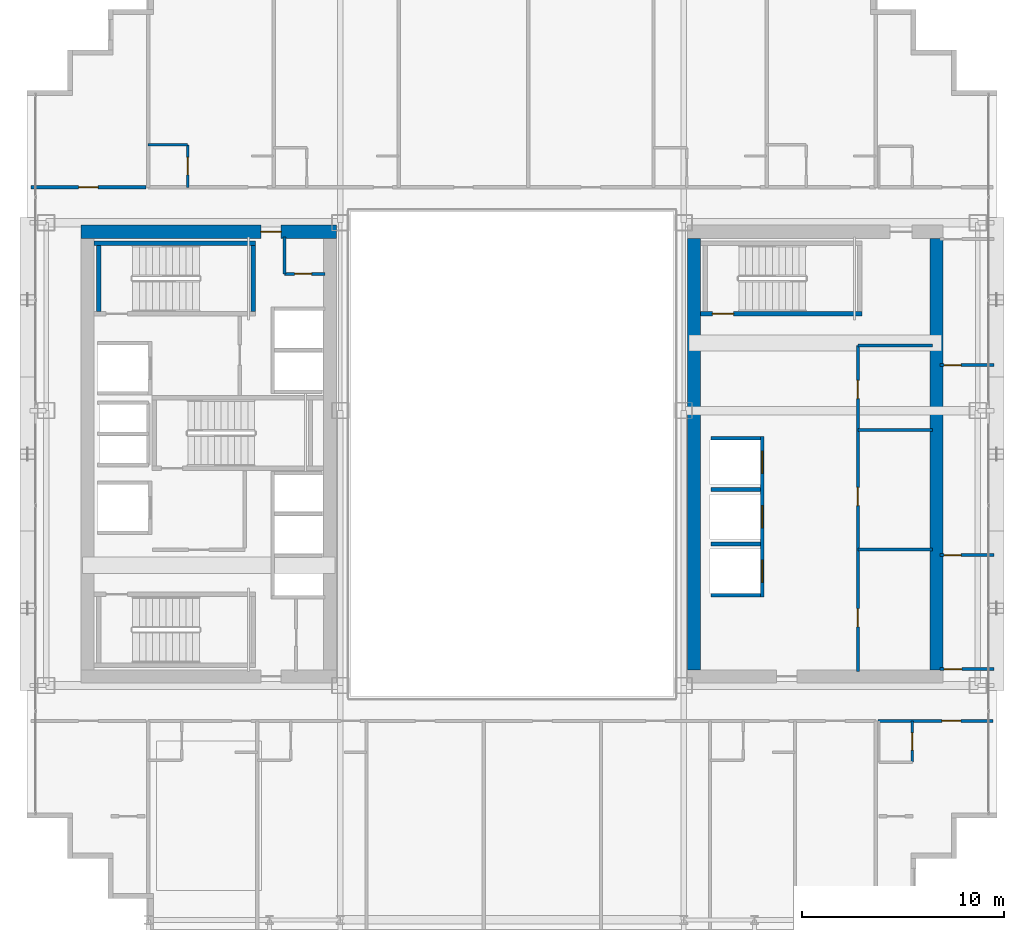
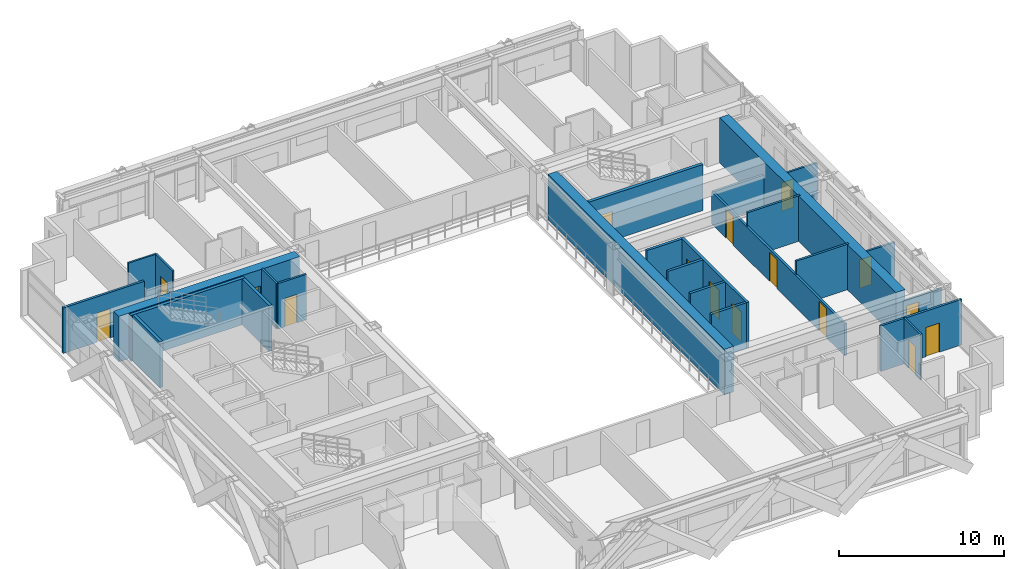
# One storey, part 29 of 35: 26 walls, 16 doors, 16 openings.
"""IFC4 building model written with IfcOpenShell, lengths in metres."""

from ifc_helpers import new_model, si_unit, direction, frame, frame_2d, origin, place, context, subcontext, project, spatial, rectangle, extrude, source, transform, mapped, material, layer, layer_set, type_object, element, fill, save


model = new_model("IFC4")

# Units and contexts
model_context = context("Model", 3, precision=1e-05, world=origin(), true_north=direction((0.0, 1.0)))
body_context = subcontext(model_context, "Body", "Model", "MODEL_VIEW")
ifc_project = project(units=[si_unit("LENGTHUNIT", "METRE"), si_unit("AREAUNIT", "SQUARE_METRE"), si_unit("VOLUMEUNIT", "CUBIC_METRE"), si_unit("PLANEANGLEUNIT", "RADIAN"), si_unit("MASSUNIT", "GRAM", prefix="KILO")], contexts=[model_context])

# Site, building, storey
site_placement = place(None, origin())
site = spatial("IfcSite", under=ifc_project, at=site_placement, CompositionType="ELEMENT")
building_placement = place(site_placement, origin())
building = spatial("IfcBuilding", under=site, at=building_placement, Name="Ocotamira Hotel", CompositionType="ELEMENT")
storey_placement = place(building_placement, frame((0.0, 0.0, 118.800048828125)))
storey = spatial("IfcBuildingStorey", under=building, at=storey_placement, Name="L29", CompositionType="ELEMENT", Elevation=118.800048828125)

# Wall, opening, door
ifc_material_1 = material(Name="Concrete C60/75", Category="concrete")
ifc_layer_1 = layer(ifc_material_1, 0.64990234375)
ifc_layer_set_1 = layer_set([ifc_layer_1], Name="Concrete C60/75")
wall_type_1 = type_object("IfcWallType", Name="WL-CORE-650", PredefinedType="SHEAR", material=ifc_layer_set_1)
wall_1_placement = place(storey_placement, frame((10.675048828125, 37.0, 0.0), z_axis=(0.0, 0.0, 1.0), x_axis=(1.0, 0.0, 0.0)))
wall_1 = element("IfcWall", 1, at=wall_1_placement, inside=storey, type_object=wall_type_1, Name="L29 Shear Core Wall WCORE-N", PredefinedType="SHEAR", context=body_context, shape_type="SweptSolid", body=[
    extrude(rectangle(XDim=12.64990234375, YDim=0.64990234375, at=frame_2d((6.324951171875, 0.0))), origin(), (0.0, 0.0, 1.0), 3.35986328125),
])
opening_1_placement = place(wall_1_placement, frame((8.905029296875, 0.0, 0.0)))
opening_1 = element("IfcOpeningElement", 2, at=opening_1_placement, cuts=wall_1, Name="Opening D-FR2", PredefinedType="OPENING", context=body_context, shape_type="SweptSolid", body=[
    extrude(rectangle(XDim=1.0, YDim=2.14990234375, at=frame_2d((0.5, 1.074951171875))), frame((0.0, 0.3349609375, 0.0), z_axis=(0.0, -1.0, 0.0), x_axis=(1.0, 0.0, 0.0)), (0.0, 0.0, 1.0), 0.669921875),
])
ifc_material_2 = material(Name="Fire-rated acoustic timber-veneer door", Category="wood")
door_type_1 = type_object("IfcDoorType", Name="DR-FIRE-1000", OperationType="NOTDEFINED", PredefinedType="DOOR", material=ifc_material_2)
shared_shape_1 = source(origin(), body_context, "Body", "SweptSolid", [
    extrude(rectangle(XDim=1.0, YDim=2.14990234375, at=frame_2d((0.5, 1.074951171875))), frame((0.0, 0.02490234375, 0.0), z_axis=(0.0, -1.0, 0.0), x_axis=(1.0, 0.0, 0.0)), (0.0, 0.0, 1.0), 0.050048828125),
])
door_1_placement = place(opening_1_placement, origin())
door_1 = element("IfcDoor", 3, at=door_1_placement, inside=storey, type_object=door_type_1, Name="L29 Door ID-L29-WLOB-N-D [ID-L29-WLOB-N-D]", OperationType="SINGLE_SWING_RIGHT", OverallHeight=2.14990234375, OverallWidth=1.0, PredefinedType="DOOR", context=body_context, shape_type="MappedRepresentation", body=[
    mapped(shared_shape_1, transform((0.0, 0.0, 0.0), scale=1.0)),
])
fill(opening_1, door_1)

# Walls
for number, where, z_axis, x_axis, name in (
    (4, (41.0, 15.324951171875, 0.0), (0.0, 0.0, 1.0), (0.0, 1.0, 0.0), "L29 Shear Core Wall ECORE-W"),
    (5, (53.0, 15.324951171875, 0.0), (0.0, 0.0, 1.0), (0.0, 1.0, 0.0), "L29 Shear Core Wall ECORE-E"),
):
    element("IfcWall", number, at=place(storey_placement, frame(where, z_axis=z_axis, x_axis=x_axis)), inside=storey, type_object=wall_type_1, Name=name, PredefinedType="SHEAR", context=body_context, shape_type="SweptSolid", body=[
        extrude(rectangle(XDim=21.35009765625, YDim=0.64990234375, at=frame_2d((10.675048828125, 0.0))), origin(), (0.0, 0.0, 1.0), 3.35986328125),
    ])
ifc_material_3 = material(Name="Acoustic double-layer fire gypsum board partition", Category="gypsum")
ifc_layer_2 = layer(ifc_material_3, 0.159912109375)
ifc_layer_set_2 = layer_set([ifc_layer_2], Name="Acoustic double-layer fire gypsum board partition")
wall_type_2 = type_object("IfcWallType", Name="WL-FIRE-160", PredefinedType="PARTITIONING", material=ifc_layer_set_2)
wall_2_placement = place(storey_placement, frame((49.1201171875, 31.3798828125, 0.0), z_axis=(0.0, 0.0, 1.0), x_axis=(1.0, 0.0, 0.0)))
element("IfcWall", 6, at=wall_2_placement, inside=storey, type_object=wall_type_2, Name="L29 Interior Wall PW-L29-EC-FLOW-N", PredefinedType="PARTITIONING", context=body_context, shape_type="SweptSolid", body=[
    extrude(rectangle(XDim=3.679931640625, YDim=0.159912109375, at=frame_2d((1.83984375, 0.0))), origin(), (0.0, 0.0, 1.0), 2.35986328125),
])

# Wall, openings, doors
wall_3_placement = place(storey_placement, frame((49.1201171875, 15.25, 0.0), z_axis=(0.0, 0.0, 1.0), x_axis=(0.0, 1.0, 0.0)))
wall_3 = element("IfcWall", 7, at=wall_3_placement, inside=storey, type_object=wall_type_2, Name="L29 Interior Wall PW-L29-EC-FLOW-W", PredefinedType="PARTITIONING", context=body_context, shape_type="SweptSolid", body=[
    extrude(rectangle(XDim=16.1298828125, YDim=0.159912109375, at=frame_2d((8.06494140625, 0.0))), origin(), (0.0, 0.0, 1.0), 2.35986328125),
])
opening_2_placement = place(wall_3_placement, frame((2.199951171875, 0.0, 0.0)))
opening_2 = element("IfcOpeningElement", 8, at=opening_2_placement, cuts=wall_3, Name="Opening D-IN3", PredefinedType="OPENING", context=body_context, shape_type="SweptSolid", body=[
    extrude(rectangle(XDim=0.89990234375, YDim=2.14990234375, at=frame_2d((0.449951171875, 1.074951171875))), frame((0.0, 0.08984375, 0.0), z_axis=(0.0, -1.0, 0.0), x_axis=(1.0, 0.0, 0.0)), (0.0, 0.0, 1.0), 0.179931640625),
])
opening_3_placement = place(wall_3_placement, frame((8.199951171875, 0.0, 0.0)))
opening_3 = element("IfcOpeningElement", 9, at=opening_3_placement, cuts=wall_3, Name="Opening D-IN3", PredefinedType="OPENING", context=body_context, shape_type="SweptSolid", body=[
    extrude(rectangle(XDim=0.89990234375, YDim=2.14990234375, at=frame_2d((0.449951171875, 1.074951171875))), frame((0.0, 0.08984375, 0.0), z_axis=(0.0, -1.0, 0.0), x_axis=(1.0, 0.0, 0.0)), (0.0, 0.0, 1.0), 0.179931640625),
])
opening_4_placement = place(wall_3_placement, frame((13.5, 0.0, 0.0)))
opening_4 = element("IfcOpeningElement", 10, at=opening_4_placement, cuts=wall_3, Name="Opening D-IN3", PredefinedType="OPENING", context=body_context, shape_type="SweptSolid", body=[
    extrude(rectangle(XDim=0.89990234375, YDim=2.14990234375, at=frame_2d((0.449951171875, 1.074951171875))), frame((0.0, 0.08984375, 0.0), z_axis=(0.0, -1.0, 0.0), x_axis=(1.0, 0.0, 0.0)), (0.0, 0.0, 1.0), 0.179931640625),
])
ifc_material_4 = material(Name="Painted service room door", Category="steel")
door_type_2 = type_object("IfcDoorType", Name="DR-INT-900", OperationType="NOTDEFINED", PredefinedType="DOOR", material=ifc_material_4)
shared_shape_2 = source(origin(), body_context, "Body", "SweptSolid", [
    extrude(rectangle(XDim=0.89990234375, YDim=2.14990234375, at=frame_2d((0.449951171875, 1.074951171875))), frame((0.0, 0.02490234375, 0.0), z_axis=(0.0, -1.0, 0.0), x_axis=(1.0, 0.0, 0.0)), (0.0, 0.0, 1.0), 0.050048828125),
])
door_2_placement = place(opening_2_placement, origin())
door_2 = element("IfcDoor", 11, at=door_2_placement, inside=storey, type_object=door_type_2, Name="L29 Door ID-L29-EC-FLOW-D1 [ID-L29-EC-FLOW-D1]", OperationType="SINGLE_SWING_LEFT", OverallHeight=2.14990234375, OverallWidth=0.89990234375, PredefinedType="DOOR", context=body_context, shape_type="MappedRepresentation", body=[
    mapped(shared_shape_2, transform((0.0, 0.0, 0.0), scale=1.0)),
])
fill(opening_2, door_2)
door_3_placement = place(opening_3_placement, origin())
door_3 = element("IfcDoor", 12, at=door_3_placement, inside=storey, type_object=door_type_2, Name="L29 Door ID-L29-EC-FLOW-D2 [ID-L29-EC-FLOW-D2]", OperationType="SINGLE_SWING_RIGHT", OverallHeight=2.14990234375, OverallWidth=0.89990234375, PredefinedType="DOOR", context=body_context, shape_type="MappedRepresentation", body=[
    mapped(shared_shape_2, transform((0.0, 0.0, 0.0), scale=1.0)),
])
fill(opening_3, door_3)
door_4_placement = place(opening_4_placement, origin())
door_4 = element("IfcDoor", 13, at=door_4_placement, inside=storey, type_object=door_type_2, Name="L29 Door ID-L29-EC-FLOW-D3 [ID-L29-EC-FLOW-D3]", OperationType="SINGLE_SWING_LEFT", OverallHeight=2.14990234375, OverallWidth=0.89990234375, PredefinedType="DOOR", context=body_context, shape_type="MappedRepresentation", body=[
    mapped(shared_shape_2, transform((0.0, 0.0, 0.0), scale=1.0)),
])
fill(opening_4, door_4)

# Wall, opening, door
wall_4_placement = place(storey_placement, frame((50.1201171875, 12.800048828125, 0.0), z_axis=(0.0, 0.0, 1.0), x_axis=(1.0, 0.0, 0.0)))
wall_4 = element("IfcWall", 14, at=wall_4_placement, inside=storey, type_object=wall_type_2, Name="L29 Interior Wall PW-L29-Z2C-CSE-CW", PredefinedType="PARTITIONING", context=body_context, shape_type="SweptSolid", body=[
    extrude(rectangle(XDim=5.679931640625, YDim=0.159912109375, at=frame_2d((2.83984375, 0.0))), origin(), (0.0, 0.0, 1.0), 3.35986328125),
])
opening_5_placement = place(wall_4_placement, frame((3.14990234375, 0.0, 0.0)))
opening_5 = element("IfcOpeningElement", 15, at=opening_5_placement, cuts=wall_4, Name="Opening D-GR1", PredefinedType="OPENING", context=body_context, shape_type="SweptSolid", body=[
    extrude(rectangle(XDim=0.93994140625, YDim=2.14990234375, at=frame_2d((0.469970703125, 1.074951171875))), frame((0.0, 0.08984375, 0.0), z_axis=(0.0, -1.0, 0.0), x_axis=(1.0, 0.0, 0.0)), (0.0, 0.0, 1.0), 0.179931640625),
])
ifc_material_5 = material(Name="Solid-core walnut suite entrance fire door", Category="wood")
door_type_3 = type_object("IfcDoorType", Name="DR-GUEST-940", OperationType="NOTDEFINED", PredefinedType="DOOR", material=ifc_material_5)
shared_shape_3 = source(origin(), body_context, "Body", "SweptSolid", [
    extrude(rectangle(XDim=0.93994140625, YDim=2.14990234375, at=frame_2d((0.469970703125, 1.074951171875))), frame((0.0, 0.02490234375, 0.0), z_axis=(0.0, -1.0, 0.0), x_axis=(1.0, 0.0, 0.0)), (0.0, 0.0, 1.0), 0.050048828125),
])
door_5_placement = place(opening_5_placement, origin())
door_5 = element("IfcDoor", 16, at=door_5_placement, inside=storey, type_object=door_type_3, Name="L29 Door ID-L29-Z2C-CSE-CD [ID-L29-Z2C-CSE-CD]", OperationType="SINGLE_SWING_RIGHT", OverallHeight=2.14990234375, OverallWidth=0.93994140625, PredefinedType="DOOR", context=body_context, shape_type="MappedRepresentation", body=[
    mapped(shared_shape_3, transform((0.0, 0.0, 0.0), scale=1.0)),
])
fill(opening_5, door_5)

wall_5_placement = place(storey_placement, frame((8.199951171875, 39.199951171875, 0.0), z_axis=(0.0, 0.0, 1.0), x_axis=(1.0, 0.0, 0.0)))
wall_5 = element("IfcWall", 17, at=wall_5_placement, inside=storey, type_object=wall_type_2, Name="L29 Interior Wall PW-L29-Z2C-CNW-CW", PredefinedType="PARTITIONING", context=body_context, shape_type="SweptSolid", body=[
    extrude(rectangle(XDim=5.679931640625, YDim=0.159912109375, at=frame_2d((2.83984375, 0.0))), origin(), (0.0, 0.0, 1.0), 3.35986328125),
])
opening_6_placement = place(wall_5_placement, frame((2.360107421875, 0.0, 0.0)))
opening_6 = element("IfcOpeningElement", 18, at=opening_6_placement, cuts=wall_5, Name="Opening D-SV4", PredefinedType="OPENING", context=body_context, shape_type="SweptSolid", body=[
    extrude(rectangle(XDim=0.9599609375, YDim=2.14990234375, at=frame_2d((0.47998046875, 1.074951171875))), frame((0.0, 0.08984375, 0.0), z_axis=(0.0, -1.0, 0.0), x_axis=(1.0, 0.0, 0.0)), (0.0, 0.0, 1.0), 0.179931640625),
])
ifc_material_6 = material(Name="Fire-rated accessible walnut salon door", Category="wood")
door_type_4 = type_object("IfcDoorType", Name="DR-SERV-960", OperationType="NOTDEFINED", PredefinedType="DOOR", material=ifc_material_6)
shared_shape_4 = source(origin(), body_context, "Body", "SweptSolid", [
    extrude(rectangle(XDim=0.9599609375, YDim=2.14990234375, at=frame_2d((0.47998046875, 1.074951171875))), frame((0.0, 0.02490234375, 0.0), z_axis=(0.0, -1.0, 0.0), x_axis=(1.0, 0.0, 0.0)), (0.0, 0.0, 1.0), 0.050048828125),
])
door_6_placement = place(opening_6_placement, origin())
door_6 = element("IfcDoor", 19, at=door_6_placement, inside=storey, type_object=door_type_4, Name="L29 Door ID-L29-Z2C-CNW-CD [ID-L29-Z2C-CNW-CD]", OperationType="SINGLE_SWING_LEFT", OverallHeight=2.14990234375, OverallWidth=0.9599609375, PredefinedType="DOOR", context=body_context, shape_type="MappedRepresentation", body=[
    mapped(shared_shape_4, transform((0.0, 0.0, 0.0), scale=1.0)),
])
fill(opening_6, door_6)

ifc_material_7 = material(Name="Moisture-resistant en-suite tile and gypsum partition", Category="gypsum")
ifc_layer_3 = layer(ifc_material_7, 0.1201171875)
ifc_layer_set_3 = layer_set([ifc_layer_3], Name="Moisture-resistant en-suite tile and gypsum partition")
wall_type_3 = type_object("IfcWallType", Name="WL-PART-120", PredefinedType="PARTITIONING", material=ifc_layer_set_3)
wall_6_placement = place(storey_placement, frame((51.81005859375, 10.760009765625, 0.0), z_axis=(0.0, 0.0, 1.0), x_axis=(0.0, 1.0, 0.0)))
wall_6 = element("IfcWall", 20, at=wall_6_placement, inside=storey, type_object=wall_type_3, Name="L29 Interior Wall PW-L29-Z2C-CSE-BE", PredefinedType="PARTITIONING", context=body_context, shape_type="SweptSolid", body=[
    extrude(rectangle(XDim=2.0400390625, YDim=0.1201171875, at=frame_2d((1.02001953125, 0.0))), origin(), (0.0, 0.0, 1.0), 3.35986328125),
])
opening_7_placement = place(wall_6_placement, frame((0.590087890625, 0.0, 0.0)))
opening_7 = element("IfcOpeningElement", 21, at=opening_7_placement, cuts=wall_6, Name="Opening D-BA1", PredefinedType="OPENING", context=body_context, shape_type="SweptSolid", body=[
    extrude(rectangle(XDim=0.860107421875, YDim=2.10009765625, at=frame_2d((0.43017578125, 1.050048828125))), frame((0.0, 0.070068359375, 0.0), z_axis=(0.0, -1.0, 0.0), x_axis=(1.0, 0.0, 0.0)), (0.0, 0.0, 1.0), 0.14013671875),
])
ifc_material_8 = material(Name="Moisture-sealed en-suite timber door", Category="wood")
door_type_5 = type_object("IfcDoorType", Name="DR-BATH-860", OperationType="NOTDEFINED", PredefinedType="DOOR", material=ifc_material_8)
shared_shape_5 = source(origin(), body_context, "Body", "SweptSolid", [
    extrude(rectangle(XDim=0.860107421875, YDim=2.10009765625, at=frame_2d((0.43017578125, 1.050048828125))), frame((0.0, 0.02490234375, 0.0), z_axis=(0.0, -1.0, 0.0), x_axis=(1.0, 0.0, 0.0)), (0.0, 0.0, 1.0), 0.050048828125),
])
door_7_placement = place(opening_7_placement, origin())
door_7 = element("IfcDoor", 22, at=door_7_placement, inside=storey, type_object=door_type_5, Name="L29 Door ID-L29-Z2C-CSE-BD [ID-L29-Z2C-CSE-BD]", OperationType="SINGLE_SWING_LEFT", OverallHeight=2.10009765625, OverallWidth=0.860107421875, PredefinedType="DOOR", context=body_context, shape_type="MappedRepresentation", body=[
    mapped(shared_shape_5, transform((0.0, 0.0, 0.0), scale=1.0)),
])
fill(opening_7, door_7)

wall_7_placement = place(storey_placement, frame((15.949951171875, 39.199951171875, 0.0), z_axis=(0.0, 0.0, 1.0), x_axis=(0.0, 1.0, 0.0)))
wall_7 = element("IfcWall", 23, at=wall_7_placement, inside=storey, type_object=wall_type_3, Name="L29 Interior Wall PW-L29-Z2CN-BAE1", PredefinedType="PARTITIONING", context=body_context, shape_type="SweptSolid", body=[
    extrude(rectangle(XDim=2.10009765625, YDim=0.1201171875, at=frame_2d((1.050048828125, 0.0))), origin(), (0.0, 0.0, 1.0), 3.35986328125),
])
opening_8_placement = place(wall_7_placement, frame((0.6201171875, 0.0, 0.0)))
opening_8 = element("IfcOpeningElement", 24, at=opening_8_placement, cuts=wall_7, Name="Opening D-BA1", PredefinedType="OPENING", context=body_context, shape_type="SweptSolid", body=[
    extrude(rectangle(XDim=0.860107421875, YDim=2.10009765625, at=frame_2d((0.43017578125, 1.050048828125))), frame((0.0, 0.070068359375, 0.0), z_axis=(0.0, -1.0, 0.0), x_axis=(1.0, 0.0, 0.0)), (0.0, 0.0, 1.0), 0.14013671875),
])
door_8_placement = place(opening_8_placement, origin())
door_8 = element("IfcDoor", 25, at=door_8_placement, inside=storey, type_object=door_type_5, Name="L29 Door ID-L29-Z2CN-BAD1 [ID-L29-Z2CN-BAD1]", OperationType="SINGLE_SWING_RIGHT", OverallHeight=2.10009765625, OverallWidth=0.860107421875, PredefinedType="DOOR", context=body_context, shape_type="MappedRepresentation", body=[
    mapped(shared_shape_5, transform((0.0, 0.0, 0.0), scale=1.0)),
])
fill(opening_8, door_8)

# Walls
wall_8_placement = place(storey_placement, frame((14.0, 41.300048828125, 0.0), z_axis=(0.0, 0.0, 1.0), x_axis=(1.0, 0.0, 0.0)))
element("IfcWall", 26, at=wall_8_placement, inside=storey, type_object=wall_type_3, Name="L29 Interior Wall PW-L29-Z2CN-BAN1", PredefinedType="PARTITIONING", context=body_context, shape_type="SweptSolid", body=[
    extrude(rectangle(XDim=1.949951171875, YDim=0.1201171875, at=frame_2d((0.97509765625, 0.0))), origin(), (0.0, 0.0, 1.0), 3.35986328125),
])
ifc_material_9 = material(Name="Acoustic hospitality gypsum board partition", Category="gypsum")
ifc_layer_4 = layer(ifc_material_9, 0.14208984375)
ifc_layer_set_4 = layer_set([ifc_layer_4], Name="Acoustic hospitality gypsum board partition")
wall_type_4 = type_object("IfcWallType", Name="WL-PART-142", PredefinedType="PARTITIONING", material=ifc_layer_set_4)
wall_9_placement = place(storey_placement, frame((20.739990234375, 34.919921875, 0.0), z_axis=(0.0, 0.0, 1.0), x_axis=(0.0, 1.0, 0.0)))
element("IfcWall", 27, at=wall_9_placement, inside=storey, type_object=wall_type_4, Name="L29 Interior Wall PW-L29-WC-NE-W1", PredefinedType="PARTITIONING", context=body_context, shape_type="SweptSolid", body=[
    extrude(rectangle(XDim=1.830078125, YDim=0.14208984375, at=frame_2d((0.9150390625, 0.0))), origin(), (0.0, 0.0, 1.0), 3.35986328125),
])

# Wall, opening, door
wall_10_placement = place(storey_placement, frame((20.739990234375, 34.919921875, 0.0), z_axis=(0.0, 0.0, 1.0), x_axis=(1.0, 0.0, 0.0)))
wall_10 = element("IfcWall", 28, at=wall_10_placement, inside=storey, type_object=wall_type_4, Name="L29 Interior Wall PW-L29-WC-NE-S1", PredefinedType="PARTITIONING", context=body_context, shape_type="SweptSolid", body=[
    extrude(rectangle(XDim=2.010009765625, YDim=0.14208984375, at=frame_2d((1.0048828125, 0.0))), origin(), (0.0, 0.0, 1.0), 3.35986328125),
])
opening_9_placement = place(wall_10_placement, frame((0.5, 0.0, 0.0)))
opening_9 = element("IfcOpeningElement", 29, at=opening_9_placement, cuts=wall_10, Name="Opening D-SV1", PredefinedType="OPENING", context=body_context, shape_type="SweptSolid", body=[
    extrude(rectangle(XDim=0.840087890625, YDim=2.10009765625, at=frame_2d((0.419921875, 1.050048828125))), frame((0.0, 0.0810546875, 0.0), z_axis=(0.0, -1.0, 0.0), x_axis=(1.0, 0.0, 0.0)), (0.0, 0.0, 1.0), 0.162109375),
])
ifc_material_10 = material(Name="Fire-rated painted steel service door", Category="steel")
door_type_6 = type_object("IfcDoorType", Name="DR-SERV-840", OperationType="NOTDEFINED", PredefinedType="DOOR", material=ifc_material_10)
shared_shape_6 = source(origin(), body_context, "Body", "SweptSolid", [
    extrude(rectangle(XDim=0.840087890625, YDim=2.10009765625, at=frame_2d((0.419921875, 1.050048828125))), frame((0.0, 0.02490234375, 0.0), z_axis=(0.0, -1.0, 0.0), x_axis=(1.0, 0.0, 0.0)), (0.0, 0.0, 1.0), 0.050048828125),
])
door_9_placement = place(opening_9_placement, origin())
door_9 = element("IfcDoor", 30, at=door_9_placement, inside=storey, type_object=door_type_6, Name="L29 Door ID-L29-WC-NE-D1 [ID-L29-WC-NE-D1]", OperationType="SINGLE_SWING_LEFT", OverallHeight=2.10009765625, OverallWidth=0.840087890625, PredefinedType="DOOR", context=body_context, shape_type="MappedRepresentation", body=[
    mapped(shared_shape_6, transform((0.0, 0.0, 0.0), scale=1.0)),
])
fill(opening_9, door_9)

wall_11_placement = place(storey_placement, frame((53.179931640625, 21.0, 0.0), z_axis=(0.0, 0.0, 1.0), x_axis=(1.0, 0.0, 0.0)))
wall_11 = element("IfcWall", 31, at=wall_11_placement, inside=storey, type_object=wall_type_4, Name="L29 Interior Wall PW-L29-Z2C-EF-DV1", PredefinedType="PARTITIONING", context=body_context, shape_type="SweptSolid", body=[
    extrude(rectangle(XDim=2.66015625, YDim=0.14208984375, at=frame_2d((1.330078125, 0.0))), origin(), (0.0, 0.0, 1.0), 2.5810546875),
])
opening_10_placement = place(wall_11_placement, frame((0.199951171875, 0.0, 0.0)))
opening_10 = element("IfcOpeningElement", 32, at=opening_10_placement, cuts=wall_11, Name="Opening D-SV1", PredefinedType="OPENING", context=body_context, shape_type="SweptSolid", body=[
    extrude(rectangle(XDim=0.840087890625, YDim=2.10009765625, at=frame_2d((0.419921875, 1.050048828125))), frame((0.0, 0.0810546875, 0.0), z_axis=(0.0, -1.0, 0.0), x_axis=(1.0, 0.0, 0.0)), (0.0, 0.0, 1.0), 0.162109375),
])
door_10_placement = place(opening_10_placement, origin())
door_10 = element("IfcDoor", 33, at=door_10_placement, inside=storey, type_object=door_type_6, Name="L29 Door ID-L29-Z2C-EF-DV1D [ID-L29-Z2C-EF-DV1D]", OperationType="SINGLE_SWING_LEFT", OverallHeight=2.10009765625, OverallWidth=0.840087890625, PredefinedType="DOOR", context=body_context, shape_type="MappedRepresentation", body=[
    mapped(shared_shape_6, transform((0.0, 0.0, 0.0), scale=1.0)),
])
fill(opening_10, door_10)

wall_12_placement = place(storey_placement, frame((53.179931640625, 30.39990234375, 0.0), z_axis=(0.0, 0.0, 1.0), x_axis=(1.0, 0.0, 0.0)))
wall_12 = element("IfcWall", 34, at=wall_12_placement, inside=storey, type_object=wall_type_4, Name="L29 Interior Wall PW-L29-Z2C-EF-DV2", PredefinedType="PARTITIONING", context=body_context, shape_type="SweptSolid", body=[
    extrude(rectangle(XDim=2.66015625, YDim=0.14208984375, at=frame_2d((1.330078125, 0.0))), origin(), (0.0, 0.0, 1.0), 2.742919921875),
])
opening_11_placement = place(wall_12_placement, frame((0.199951171875, 0.0, 0.0)))
opening_11 = element("IfcOpeningElement", 35, at=opening_11_placement, cuts=wall_12, Name="Opening D-SV1", PredefinedType="OPENING", context=body_context, shape_type="SweptSolid", body=[
    extrude(rectangle(XDim=0.840087890625, YDim=2.10009765625, at=frame_2d((0.419921875, 1.050048828125))), frame((0.0, 0.0810546875, 0.0), z_axis=(0.0, -1.0, 0.0), x_axis=(1.0, 0.0, 0.0)), (0.0, 0.0, 1.0), 0.162109375),
])
door_11_placement = place(opening_11_placement, origin())
door_11 = element("IfcDoor", 36, at=door_11_placement, inside=storey, type_object=door_type_6, Name="L29 Door ID-L29-Z2C-EF-DV2D [ID-L29-Z2C-EF-DV2D]", OperationType="SINGLE_SWING_RIGHT", OverallHeight=2.10009765625, OverallWidth=0.840087890625, PredefinedType="DOOR", context=body_context, shape_type="MappedRepresentation", body=[
    mapped(shared_shape_6, transform((0.0, 0.0, 0.0), scale=1.0)),
])
fill(opening_11, door_11)

# Walls
ifc_layer_5 = layer(ifc_material_9, 0.14990234375)
ifc_layer_set_5 = layer_set([ifc_layer_5], Name="Acoustic hospitality gypsum board partition")
wall_type_5 = type_object("IfcWallType", Name="WL-PART-150", PredefinedType="PARTITIONING", material=ifc_layer_set_5)
for number, where, z_axis, x_axis, name in (
    (37, (49.1201171875, 21.2900390625, 0.0), (0.0, 0.0, 1.0), (1.0, 0.0, 0.0), "L29 Interior Wall PW-L29-EC-FDIV1"),
    (38, (49.1201171875, 27.18994140625, 0.0), (0.0, 0.0, 1.0), (1.0, 0.0, 0.0), "L29 Interior Wall PW-L29-EC-FDIV2"),
):
    element("IfcWall", number, at=place(storey_placement, frame(where, z_axis=z_axis, x_axis=x_axis)), inside=storey, type_object=wall_type_5, Name=name, PredefinedType="PARTITIONING", context=body_context, shape_type="SweptSolid", body=[
        extrude(rectangle(XDim=3.679931640625, YDim=0.14990234375, at=frame_2d((1.83984375, 0.0))), origin(), (0.0, 0.0, 1.0), 3.35986328125),
    ])

# Wall, opening, door
wall_13_placement = place(storey_placement, frame((53.179931640625, 15.360107421875, 0.0), z_axis=(0.0, 0.0, 1.0), x_axis=(1.0, 0.0, 0.0)))
wall_13 = element("IfcWall", 39, at=wall_13_placement, inside=storey, type_object=wall_type_5, Name="L29 Interior Wall PW-L29-Z2C-EF-WS", PredefinedType="PARTITIONING", context=body_context, shape_type="SweptSolid", body=[
    extrude(rectangle(XDim=2.66015625, YDim=0.14990234375, at=frame_2d((1.330078125, 0.0))), origin(), (0.0, 0.0, 1.0), 2.5810546875),
])
opening_12_placement = place(wall_13_placement, frame((0.199951171875, 0.0, 0.0)))
opening_12 = element("IfcOpeningElement", 40, at=opening_12_placement, cuts=wall_13, Name="Opening D-SV2", PredefinedType="OPENING", context=body_context, shape_type="SweptSolid", body=[
    extrude(rectangle(XDim=0.8798828125, YDim=2.14990234375, at=frame_2d((0.43994140625, 1.074951171875))), frame((0.0, 0.0849609375, 0.0), z_axis=(0.0, -1.0, 0.0), x_axis=(1.0, 0.0, 0.0)), (0.0, 0.0, 1.0), 0.169921875),
])
door_type_7 = type_object("IfcDoorType", Name="DR-SERV-880", OperationType="NOTDEFINED", PredefinedType="DOOR", material=ifc_material_10)
shared_shape_7 = source(origin(), body_context, "Body", "SweptSolid", [
    extrude(rectangle(XDim=0.8798828125, YDim=2.14990234375, at=frame_2d((0.43994140625, 1.074951171875))), frame((0.0, 0.02490234375, 0.0), z_axis=(0.0, -1.0, 0.0), x_axis=(1.0, 0.0, 0.0)), (0.0, 0.0, 1.0), 0.050048828125),
])
door_12_placement = place(opening_12_placement, origin())
door_12 = element("IfcDoor", 41, at=door_12_placement, inside=storey, type_object=door_type_7, Name="L29 Door ID-L29-Z2C-EF-DS [ID-L29-Z2C-EF-DS]", OperationType="SINGLE_SWING_RIGHT", OverallHeight=2.14990234375, OverallWidth=0.8798828125, PredefinedType="DOOR", context=body_context, shape_type="MappedRepresentation", body=[
    mapped(shared_shape_7, transform((0.0, 0.0, 0.0), scale=1.0)),
])
fill(opening_12, door_12)

# Wall, openings, doors
ifc_material_11 = material(Name="Fire-rated gypsum shaftliner board assembly", Category="gypsum")
ifc_layer_6 = layer(ifc_material_11, 0.179931640625)
ifc_layer_set_6 = layer_set([ifc_layer_6], Name="Fire-rated gypsum shaftliner board assembly")
wall_type_6 = type_object("IfcWallType", Name="WL-SHAFT-180", PredefinedType="SOLIDWALL", material=ifc_layer_set_6)
wall_14_placement = place(storey_placement, frame((44.389892578125, 18.919921875, 0.0), z_axis=(0.0, 0.0, 1.0), x_axis=(0.0, 1.0, 0.0)))
wall_14 = element("IfcWall", 42, at=wall_14_placement, inside=storey, type_object=wall_type_6, Name="L29 Interior Wall PW-L29-LFW-BANK-mid-F", PredefinedType="SOLIDWALL", context=body_context, shape_type="SweptSolid", body=[
    extrude(rectangle(XDim=7.9599609375, YDim=0.179931640625, at=frame_2d((3.97998046875, 0.0))), origin(), (0.0, 0.0, 1.0), 3.35986328125),
])
opening_13_placement = place(wall_14_placement, frame((0.72998046875, 0.0, 0.0)))
opening_13 = element("IfcOpeningElement", 43, at=opening_13_placement, cuts=wall_14, Name="Opening LD-LF-P4", PredefinedType="OPENING", context=body_context, shape_type="SweptSolid", body=[
    extrude(rectangle(XDim=1.10009765625, YDim=2.199951171875, at=frame_2d((0.550048828125, 1.10009765625))), frame((0.0, 0.10009765625, 0.0), z_axis=(0.0, -1.0, 0.0), x_axis=(1.0, 0.0, 0.0)), (0.0, 0.0, 1.0), 0.199951171875),
])
opening_14_placement = place(wall_14_placement, frame((3.429931640625, 0.0, 0.0)))
opening_14 = element("IfcOpeningElement", 44, at=opening_14_placement, cuts=wall_14, Name="Opening LD-LF-P5", PredefinedType="OPENING", context=body_context, shape_type="SweptSolid", body=[
    extrude(rectangle(XDim=1.10009765625, YDim=2.199951171875, at=frame_2d((0.550048828125, 1.10009765625))), frame((0.0, 0.10009765625, 0.0), z_axis=(0.0, -1.0, 0.0), x_axis=(1.0, 0.0, 0.0)), (0.0, 0.0, 1.0), 0.199951171875),
])
opening_15_placement = place(wall_14_placement, frame((6.1298828125, 0.0, 0.0)))
opening_15 = element("IfcOpeningElement", 45, at=opening_15_placement, cuts=wall_14, Name="Opening LD-LF-P6", PredefinedType="OPENING", context=body_context, shape_type="SweptSolid", body=[
    extrude(rectangle(XDim=1.10009765625, YDim=2.199951171875, at=frame_2d((0.550048828125, 1.10009765625))), frame((0.0, 0.10009765625, 0.0), z_axis=(0.0, -1.0, 0.0), x_axis=(1.0, 0.0, 0.0)), (0.0, 0.0, 1.0), 0.199951171875),
])
ifc_material_12 = material(Name="Brushed pale-metal stainless elevator landing door", Category="steel")
door_type_8 = type_object("IfcDoorType", Name="DR-LIFT-1100", OperationType="NOTDEFINED", PredefinedType="DOOR", material=ifc_material_12)
shared_shape_8 = source(origin(), body_context, "Body", "SweptSolid", [
    extrude(rectangle(XDim=1.10009765625, YDim=2.199951171875, at=frame_2d((0.550048828125, 1.10009765625))), frame((0.0, 0.02490234375, 0.0), z_axis=(0.0, -1.0, 0.0), x_axis=(1.0, 0.0, 0.0)), (0.0, 0.0, 1.0), 0.050048828125),
])
door_13_placement = place(opening_13_placement, origin())
door_13 = element("IfcDoor", 46, at=door_13_placement, inside=storey, type_object=door_type_8, Name="L29 Landing Door LD-LF-P4 [ID-L29-LD-LF-P4]", OperationType="DOUBLE_DOOR_SLIDING", OverallHeight=2.199951171875, OverallWidth=1.10009765625, PredefinedType="DOOR", context=body_context, shape_type="MappedRepresentation", body=[
    mapped(shared_shape_8, transform((0.0, 0.0, 0.0), scale=1.0)),
])
fill(opening_13, door_13)
door_14_placement = place(opening_14_placement, origin())
door_14 = element("IfcDoor", 47, at=door_14_placement, inside=storey, type_object=door_type_8, Name="L29 Landing Door LD-LF-P5 [ID-L29-LD-LF-P5]", OperationType="DOUBLE_DOOR_SLIDING", OverallHeight=2.199951171875, OverallWidth=1.10009765625, PredefinedType="DOOR", context=body_context, shape_type="MappedRepresentation", body=[
    mapped(shared_shape_8, transform((0.0, 0.0, 0.0), scale=1.0)),
])
fill(opening_14, door_14)
door_15_placement = place(opening_15_placement, origin())
door_15 = element("IfcDoor", 48, at=door_15_placement, inside=storey, type_object=door_type_8, Name="L29 Landing Door LD-LF-P6 [ID-L29-LD-LF-P6]", OperationType="DOUBLE_DOOR_SLIDING", OverallHeight=2.199951171875, OverallWidth=1.10009765625, PredefinedType="DOOR", context=body_context, shape_type="MappedRepresentation", body=[
    mapped(shared_shape_8, transform((0.0, 0.0, 0.0), scale=1.0)),
])
fill(opening_15, door_15)

# Walls
for number, where, z_axis, x_axis, name in (
    (49, (41.85009765625, 19.010009765625, 0.0), (0.0, 0.0, 1.0), (1.0, 0.0, 0.0), "L29 Interior Wall PW-L29-LFW-BANK-mid-S"),
    (50, (41.85009765625, 26.7900390625, 0.0), (0.0, 0.0, 1.0), (1.0, 0.0, 0.0), "L29 Interior Wall PW-L29-LFW-BANK-mid-N"),
    (51, (41.85009765625, 21.550048828125, 0.0), (0.0, 0.0, 1.0), (1.0, 0.0, 0.0), "L29 Interior Wall PW-L29-LFW-DIV-LF-P4"),
    (52, (41.85009765625, 24.25, 0.0), (0.0, 0.0, 1.0), (1.0, 0.0, 0.0), "L29 Interior Wall PW-L29-LFW-DIV-LF-P5"),
):
    element("IfcWall", number, at=place(storey_placement, frame(where, z_axis=z_axis, x_axis=x_axis)), inside=storey, type_object=wall_type_6, Name=name, PredefinedType="SOLIDWALL", context=body_context, shape_type="SweptSolid", body=[
        extrude(rectangle(XDim=2.449951171875, YDim=0.179931640625, at=frame_2d((1.22509765625, 0.0))), origin(), (0.0, 0.0, 1.0), 3.35986328125),
    ])
ifc_material_13 = material(Name="Concrete C50/60", Category="concrete")
ifc_layer_7 = layer(ifc_material_13, 0.219970703125)
ifc_layer_set_7 = layer_set([ifc_layer_7], Name="Concrete C50/60")
wall_type_7 = type_object("IfcWallType", Name="WL-STAIR-220", PredefinedType="SHEAR", material=ifc_layer_set_7)
wall_15_placement = place(storey_placement, frame((11.324951171875, 36.43994140625, 0.0), z_axis=(0.0, 0.0, 1.0), x_axis=(1.0, 0.0, 0.0)))
element("IfcWall", 53, at=wall_15_placement, inside=storey, type_object=wall_type_7, Name="L29 Stair Shaft Structural Wall ST-2-N", PredefinedType="SHEAR", context=body_context, shape_type="SweptSolid", body=[
    extrude(rectangle(XDim=7.985107421875, YDim=0.219970703125, at=frame_2d((3.99267578125, 0.0))), origin(), (0.0, 0.0, 1.0), 3.39990234375),
])
for number, where, z_axis, x_axis, name in (
    (54, (11.56005859375, 33.050048828125, 0.0), (0.0, 0.0, 1.0), (0.0, 1.0, 0.0), "L29 Stair Shaft Structural Wall ST-2-W"),
    (55, (19.199951171875, 33.050048828125, 0.0), (0.0, 0.0, 1.0), (0.0, 1.0, 0.0), "L29 Stair Shaft Structural Wall ST-2-E"),
):
    element("IfcWall", number, at=place(storey_placement, frame(where, z_axis=z_axis, x_axis=x_axis)), inside=storey, type_object=wall_type_7, Name=name, PredefinedType="SHEAR", context=body_context, shape_type="SweptSolid", body=[
        extrude(rectangle(XDim=3.280029296875, YDim=0.219970703125, at=frame_2d((1.64013671875, 0.0))), origin(), (0.0, 0.0, 1.0), 3.39990234375),
    ])

# Wall, opening, door
wall_16_placement = place(storey_placement, frame((41.324951171875, 32.93994140625, 0.0), z_axis=(0.0, 0.0, 1.0), x_axis=(1.0, 0.0, 0.0)))
wall_16 = element("IfcWall", 56, at=wall_16_placement, inside=storey, type_object=wall_type_7, Name="L29 Stair Shaft Structural Wall ST-4-S", PredefinedType="SHEAR", context=body_context, shape_type="SweptSolid", body=[
    extrude(rectangle(XDim=7.985107421875, YDim=0.219970703125, at=frame_2d((3.99267578125, 0.0))), origin(), (0.0, 0.0, 1.0), 3.39990234375),
])
opening_16_placement = place(wall_16_placement, frame((0.594970703125, 0.0, 0.0)))
opening_16 = element("IfcOpeningElement", 57, at=opening_16_placement, cuts=wall_16, Name="Opening D-ST2", PredefinedType="OPENING", context=body_context, shape_type="SweptSolid", body=[
    extrude(rectangle(XDim=1.050048828125, YDim=2.14990234375, at=frame_2d((0.52490234375, 1.074951171875))), frame((0.0, 0.1201171875, 0.0), z_axis=(0.0, -1.0, 0.0), x_axis=(1.0, 0.0, 0.0)), (0.0, 0.0, 1.0), 0.239990234375),
])
ifc_material_14 = material(Name="Insulated painted hollow-metal fire exit door", Category="steel")
door_type_9 = type_object("IfcDoorType", Name="DR-STAIR-1050", OperationType="NOTDEFINED", PredefinedType="DOOR", material=ifc_material_14)
shared_shape_9 = source(origin(), body_context, "Body", "SweptSolid", [
    extrude(rectangle(XDim=1.050048828125, YDim=2.14990234375, at=frame_2d((0.52490234375, 1.074951171875))), frame((0.0, 0.02490234375, 0.0), z_axis=(0.0, -1.0, 0.0), x_axis=(1.0, 0.0, 0.0)), (0.0, 0.0, 1.0), 0.050048828125),
])
door_16_placement = place(opening_16_placement, origin())
door_16 = element("IfcDoor", 58, at=door_16_placement, inside=storey, type_object=door_type_9, Name="L29 Door ID-L29-STD-ST-4 [ID-L29-STD-ST-4]", OperationType="SINGLE_SWING_LEFT", OverallHeight=2.14990234375, OverallWidth=1.050048828125, PredefinedType="DOOR", context=body_context, shape_type="MappedRepresentation", body=[
    mapped(shared_shape_9, transform((0.0, 0.0, 0.0), scale=1.0)),
])
fill(opening_16, door_16)

save(model, "model.ifc")
